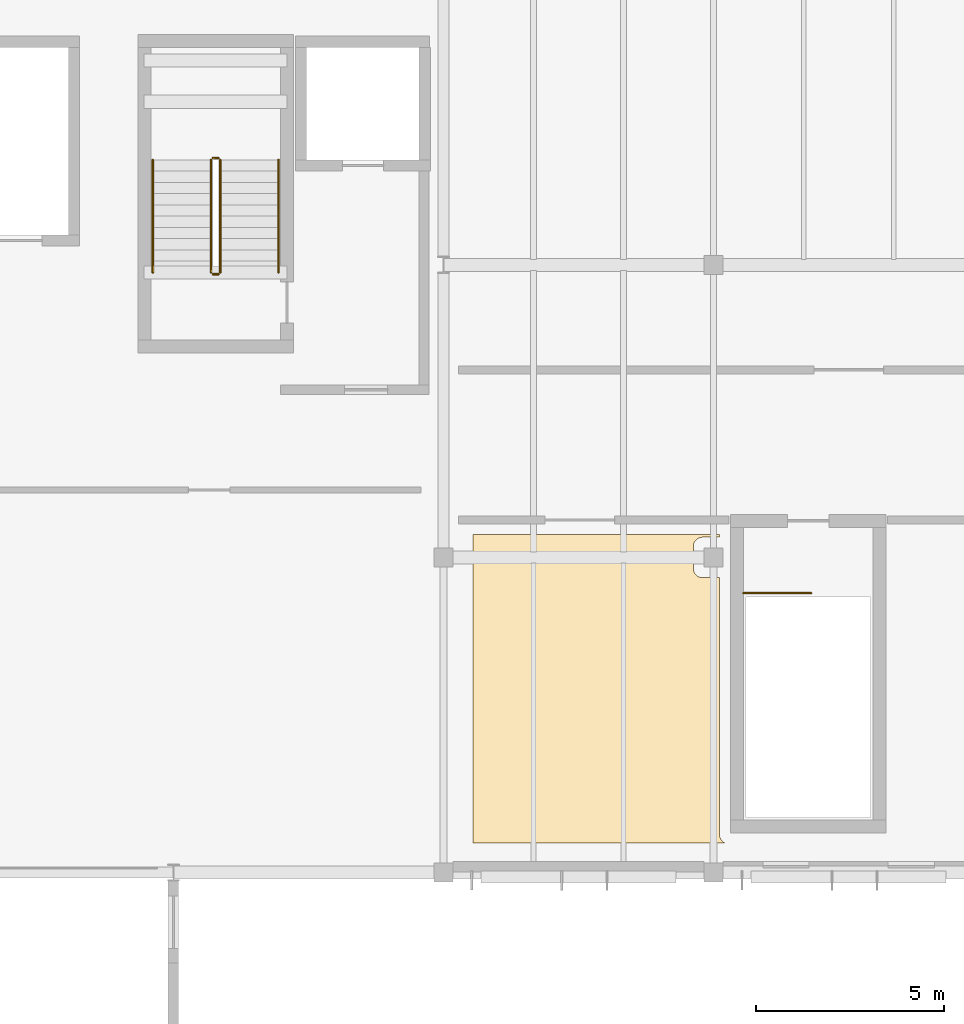
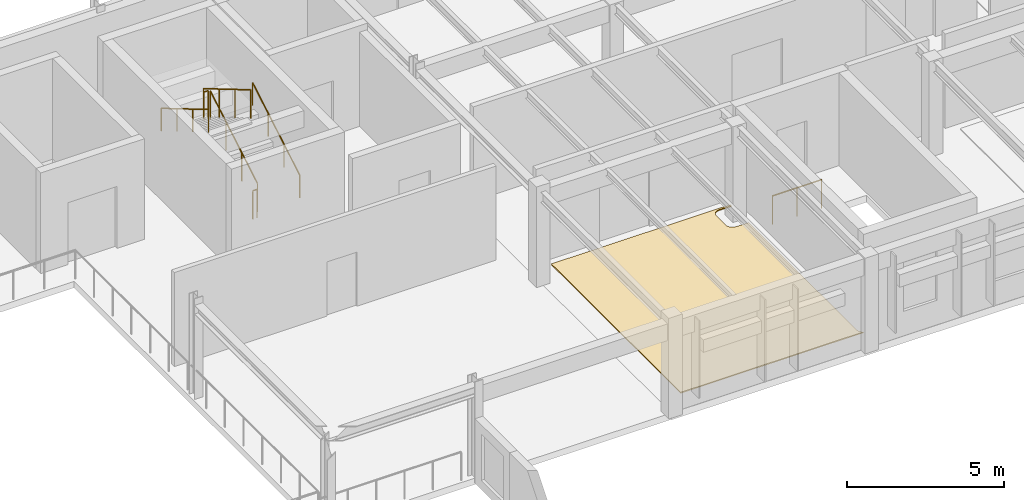
# One storey, part 42 of 44: 7 railings, 1 covering.
"""IFC4 building model written with IfcOpenShell, lengths in metres."""

from ifc_helpers import new_model, si_unit, direction, frame, origin, origin_2d, place, context, subcontext, project, spatial, polyline, circle, outline, extrude, material, layer, layer_set, material_profile, profile_set, type_object, element, save


model = new_model("IFC4")

# Units and contexts
model_context = context("Model", 3, precision=1e-05, world=origin(), true_north=direction((0.0, 1.0)))
body_context = subcontext(model_context, "Body", "Model", "MODEL_VIEW")
ifc_project = project(units=[si_unit("LENGTHUNIT", "METRE"), si_unit("AREAUNIT", "SQUARE_METRE"), si_unit("VOLUMEUNIT", "CUBIC_METRE"), si_unit("PLANEANGLEUNIT", "RADIAN"), si_unit("MASSUNIT", "GRAM", prefix="KILO")], contexts=[model_context])

# Site, building, storey
site_placement = place(None, origin())
site = spatial("IfcSite", under=ifc_project, at=site_placement, CompositionType="ELEMENT")
building_placement = place(site_placement, origin())
building = spatial("IfcBuilding", under=site, at=building_placement, Name="Tazoul Stagehouse", CompositionType="ELEMENT")
storey_placement = place(building_placement, frame((0.0, 0.0, 13.199951171875)))
storey = spatial("IfcBuildingStorey", under=building, at=storey_placement, Name="L03", CompositionType="ELEMENT", Elevation=13.199951171875)

# Railings
ifc_material_1 = material(Name="Brushed Stainless Steel 316L", Category="steel")
ifc_material_profile_1 = material_profile(ifc_material_1, circle(Radius=0.02392578125, at=origin_2d()), Name="SS RAIL D48")
ifc_profile_set_1 = profile_set([ifc_material_profile_1], Name="Brushed Stainless Steel 316L")
railing_type_1 = type_object("IfcRailingType", Name="Architectural Guardrail H1120", PredefinedType="GUARDRAIL", material=ifc_profile_set_1)
railing_1_placement = place(storey_placement, frame((96.64990234375, 103.800048828125, 0.17724609375)))
element("IfcRailing", 1, at=railing_1_placement, inside=storey, type_object=railing_type_1, Name="L03 ST-01 stair guard 1", PredefinedType="GUARDRAIL", context=body_context, shape_type="SweptSolid", body=[
    extrude(circle(Radius=0.02392578125, at=origin_2d()), frame((0.0, 0.0, 1.09619140625), z_axis=(0.0, 0.86092931783, 0.508724591208), x_axis=(-1.0, 0.0, 0.0)), (0.0, 0.0, 1.0), 3.484619140625),
    extrude(circle(Radius=0.02099609375, at=origin_2d()), origin(), (0.0, 0.0, 1.0), 1.072021484375),
    extrude(circle(Radius=0.02099609375, at=origin_2d()), frame((0.0, 1.0, 0.5908203125)), (0.0, 0.0, 1.0), 1.072021484375),
    extrude(circle(Radius=0.02099609375, at=origin_2d()), frame((0.0, 2.0, 1.181884765625)), (0.0, 0.0, 1.0), 1.072021484375),
    extrude(circle(Radius=0.02099609375, at=origin_2d()), frame((0.0, 3.0, 1.772705078125)), (0.0, 0.0, 1.0), 1.072021484375),
])
railing_2_placement = place(storey_placement, frame((96.60009765625, 106.85009765625, 1.949951171875)))
element("IfcRailing", 2, at=railing_2_placement, inside=storey, type_object=railing_type_1, Name="L03 ST-01 stair guard 2", PredefinedType="GUARDRAIL", context=body_context, shape_type="SweptSolid", body=[
    extrude(circle(Radius=0.02392578125, at=origin_2d()), frame((0.0, 0.0, 1.09619140625), z_axis=(-1.0, 0.0, 0.0), x_axis=(0.0, -1.0, 0.0)), (0.0, 0.0, 1.0), 0.150146484375),
    extrude(circle(Radius=0.02099609375, at=origin_2d()), origin(), (0.0, 0.0, 1.0), 1.072021484375),
    extrude(circle(Radius=0.02099609375, at=origin_2d()), frame((-0.150146484375, 0.0, 0.0)), (0.0, 0.0, 1.0), 1.072021484375),
])
railing_3_placement = place(storey_placement, frame((96.39990234375, 106.800048828125, 2.12744140625)))
element("IfcRailing", 3, at=railing_3_placement, inside=storey, type_object=railing_type_1, Name="L03 ST-01 stair guard 3", PredefinedType="GUARDRAIL", context=body_context, shape_type="SweptSolid", body=[
    extrude(circle(Radius=0.02392578125, at=origin_2d()), frame((0.0, 0.0, 1.09619140625), z_axis=(0.0, -0.86092931783, 0.508724591208), x_axis=(1.0, 0.0, 0.0)), (0.0, 0.0, 1.0), 3.484619140625),
    extrude(circle(Radius=0.02099609375, at=origin_2d()), origin(), (0.0, 0.0, 1.0), 1.072021484375),
    extrude(circle(Radius=0.02099609375, at=origin_2d()), frame((0.0, -1.0, 0.5908203125)), (0.0, 0.0, 1.0), 1.072021484375),
    extrude(circle(Radius=0.02099609375, at=origin_2d()), frame((0.0, -2.0, 1.181884765625)), (0.0, 0.0, 1.0), 1.072021484375),
    extrude(circle(Radius=0.02099609375, at=origin_2d()), frame((0.0, -3.0, 1.772705078125)), (0.0, 0.0, 1.0), 1.072021484375),
])
railing_4_placement = place(storey_placement, frame((96.60009765625, 103.75, 0.0)))
element("IfcRailing", 4, at=railing_4_placement, inside=storey, type_object=railing_type_1, Name="L03 ST-01 stair guard 4", PredefinedType="GUARDRAIL", context=body_context, shape_type="SweptSolid", body=[
    extrude(circle(Radius=0.02392578125, at=origin_2d()), frame((0.0, 0.0, 1.09619140625), z_axis=(-1.0, 0.0, 0.0), x_axis=(0.0, -1.0, 0.0)), (0.0, 0.0, 1.0), 0.150146484375),
    extrude(circle(Radius=0.02099609375, at=origin_2d()), origin(), (0.0, 0.0, 1.0), 1.072021484375),
    extrude(circle(Radius=0.02099609375, at=origin_2d()), frame((-0.150146484375, 0.0, 0.0)), (0.0, 0.0, 1.0), 1.072021484375),
])
railing_5_placement = place(storey_placement, frame((110.60009765625, 95.25, 0.0)))
element("IfcRailing", 5, at=railing_5_placement, inside=storey, type_object=railing_type_1, Name="L03 ST-04 top well guard 1", PredefinedType="GUARDRAIL", context=body_context, shape_type="SweptSolid", body=[
    extrude(circle(Radius=0.02392578125, at=origin_2d()), frame((0.0, 0.0, 1.09619140625), z_axis=(1.0, 0.0, 0.0), x_axis=(0.0, 1.0, 0.0)), (0.0, 0.0, 1.0), 1.7998046875),
    extrude(circle(Radius=0.02099609375, at=origin_2d()), origin(), (0.0, 0.0, 1.0), 1.072021484375),
    extrude(circle(Radius=0.02099609375, at=origin_2d()), frame((0.89990234375, 0.0, 0.0)), (0.0, 0.0, 1.0), 1.072021484375),
    extrude(circle(Radius=0.02099609375, at=origin_2d()), frame((1.7998046875, 0.0, 0.0)), (0.0, 0.0, 1.0), 1.072021484375),
])

# Covering
ifc_material_2 = material(Name="Acoustic Cedar Timber", Category="wood")
ifc_layer = layer(ifc_material_2, 0.0400390625, Name="Acoustic Cedar Timber")
ifc_layer_set = layer_set([ifc_layer], Name="Acoustic Cedar Timber")
covering_type = type_object("IfcCoveringType", Name="Atlas Cedar Sprung Stage & Hall Flooring 40", PredefinedType="FLOORING", material=ifc_layer_set)
covering_placement = place(storey_placement, origin())
element("IfcCovering", 6, at=covering_placement, inside=storey, type_object=covering_type, Name="L03 Matched-Stage Drama Rehearsal Hall Flooring", PredefinedType="FLOORING", context=body_context, shape_type="SweptSolid", body=[
    extrude(outline(polyline([(109.9599609375, 96.81005859375), (109.9599609375, 96.739990234375), (109.510009765625, 96.739990234375), (109.485595703125, 96.73876953125), (109.461181640625, 96.735107421875), (109.4375, 96.729248046875), (109.414306640625, 96.720947265625), (109.39208984375, 96.71044921875), (109.37109375, 96.697998046875), (109.351318359375, 96.683349609375), (109.333251953125, 96.666748046875), (109.316650390625, 96.648681640625), (109.302001953125, 96.62890625), (109.28955078125, 96.60791015625), (109.279052734375, 96.585693359375), (109.270751953125, 96.5625), (109.264892578125, 96.538818359375), (109.26123046875, 96.514404296875), (109.260009765625, 96.489990234375), (109.260009765625, 95.909912109375), (109.26123046875, 95.885498046875), (109.264892578125, 95.861083984375), (109.270751953125, 95.83740234375), (109.279052734375, 95.814208984375), (109.28955078125, 95.792236328125), (109.302001953125, 95.77099609375), (109.316650390625, 95.75146484375), (109.333251953125, 95.733154296875), (109.351318359375, 95.716796875), (109.37109375, 95.7021484375), (109.39208984375, 95.689453125), (109.414306640625, 95.678955078125), (109.4375, 95.6708984375), (109.461181640625, 95.664794921875), (109.485595703125, 95.6611328125), (109.510009765625, 95.659912109375), (109.9599609375, 95.659912109375), (109.9599609375, 88.81005859375), (109.961181640625, 88.785400390625), (109.96484375, 88.76123046875), (109.970703125, 88.7373046875), (109.97900390625, 88.71435546875), (109.989501953125, 88.692138671875), (110.002197265625, 88.671142578125), (110.0166015625, 88.6513671875), (110.033203125, 88.63330078125), (110.051513671875, 88.61669921875), (110.071044921875, 88.60205078125), (110.09130859375, 88.590087890625), (103.389892578125, 88.590087890625), (103.389892578125, 96.81005859375), (109.9599609375, 96.81005859375)])), origin(), (0.0, 0.0, 1.0), 0.0400390625),
])

# Railings
ifc_material_profile_2 = material_profile(ifc_material_1, circle(Radius=0.02099609375, at=origin_2d()), Name="SS HANDRAIL D42")
ifc_profile_set_2 = profile_set([ifc_material_profile_2], Name="Brushed Stainless Steel 316L")
railing_type_2 = type_object("IfcRailingType", Name="Continuous Stair Handrail H900", PredefinedType="HANDRAIL", material=ifc_profile_set_2)
railing_6_placement = place(storey_placement, frame((98.199951171875, 103.800048828125, 0.17724609375)))
element("IfcRailing", 7, at=railing_6_placement, inside=storey, type_object=railing_type_2, Name="L03 ST-01 stair handrail 1", PredefinedType="HANDRAIL", context=body_context, shape_type="SweptSolid", body=[
    extrude(circle(Radius=0.02392578125, at=origin_2d()), frame((0.0, 0.0, 0.8759765625), z_axis=(0.0, 0.86092931783, 0.508724591208), x_axis=(-1.0, 0.0, 0.0)), (0.0, 0.0, 1.0), 3.484619140625),
    extrude(circle(Radius=0.02099609375, at=origin_2d()), origin(), (0.0, 0.0, 1.0), 0.851806640625),
    extrude(circle(Radius=0.02099609375, at=origin_2d()), frame((0.0, 1.0, 0.5908203125)), (0.0, 0.0, 1.0), 0.851806640625),
    extrude(circle(Radius=0.02099609375, at=origin_2d()), frame((0.0, 2.0, 1.181884765625)), (0.0, 0.0, 1.0), 0.851806640625),
    extrude(circle(Radius=0.02099609375, at=origin_2d()), frame((0.0, 3.0, 1.772705078125)), (0.0, 0.0, 1.0), 0.851806640625),
])
railing_7_placement = place(storey_placement, frame((94.85009765625, 106.800048828125, 2.12744140625)))
element("IfcRailing", 8, at=railing_7_placement, inside=storey, type_object=railing_type_2, Name="L03 ST-01 stair handrail 2", PredefinedType="HANDRAIL", context=body_context, shape_type="SweptSolid", body=[
    extrude(circle(Radius=0.02392578125, at=origin_2d()), frame((0.0, 0.0, 0.8759765625), z_axis=(0.0, -0.86092931783, 0.508724591208), x_axis=(1.0, 0.0, 0.0)), (0.0, 0.0, 1.0), 3.484619140625),
    extrude(circle(Radius=0.02099609375, at=origin_2d()), origin(), (0.0, 0.0, 1.0), 0.851806640625),
    extrude(circle(Radius=0.02099609375, at=origin_2d()), frame((0.0, -1.0, 0.5908203125)), (0.0, 0.0, 1.0), 0.851806640625),
    extrude(circle(Radius=0.02099609375, at=origin_2d()), frame((0.0, -2.0, 1.181884765625)), (0.0, 0.0, 1.0), 0.851806640625),
    extrude(circle(Radius=0.02099609375, at=origin_2d()), frame((0.0, -3.0, 1.772705078125)), (0.0, 0.0, 1.0), 0.851806640625),
])

save(model, "model.ifc")
